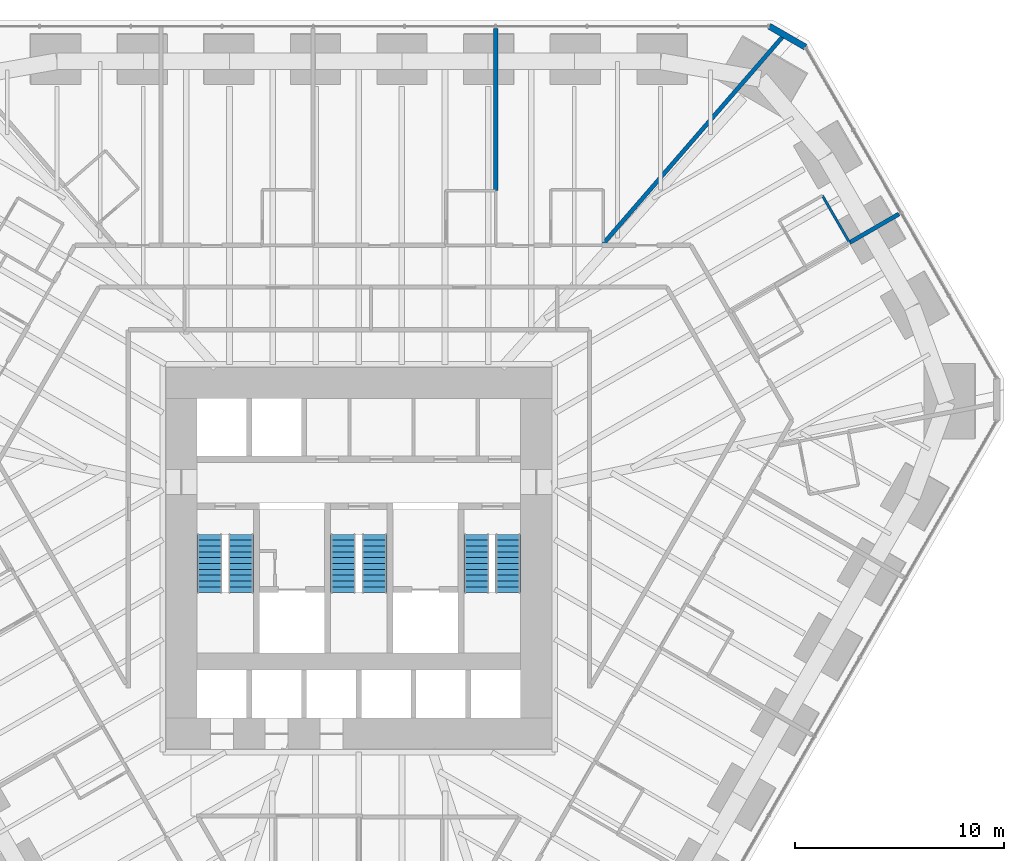
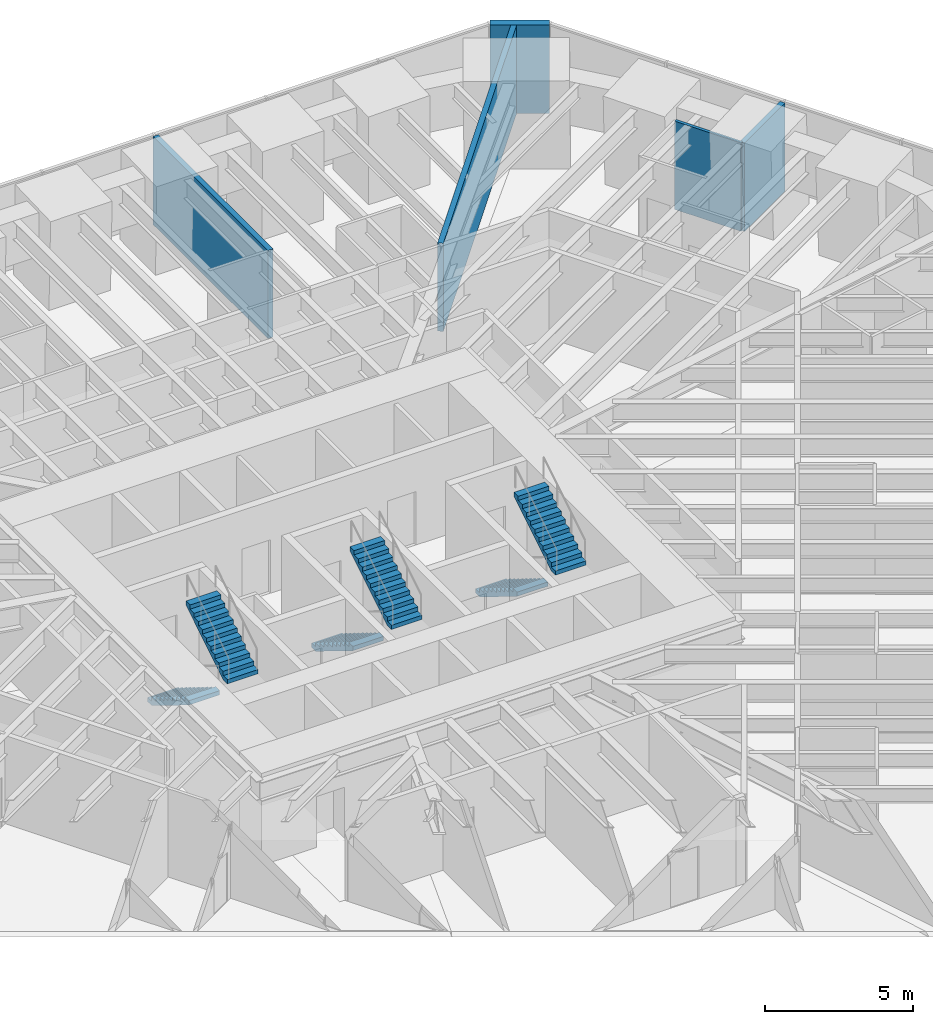
# One storey, part 16 of 17: 6 stair flights, 5 walls, 3 elements without a shape of their own.
"""IFC4 building model written with IfcOpenShell, lengths in metres."""

from ifc_helpers import new_model, si_unit, direction, frame, frame_2d, origin, place, context, subcontext, project, spatial, polyline, rectangle, outline, extrude, material, layer, layer_set, type_object, element, aggregate, save


model = new_model("IFC4")

# Units and contexts
model_context = context("Model", 3, precision=1e-05, world=origin(), true_north=direction((0.0, 1.0)))
body_context = subcontext(model_context, "Body", "Model", "MODEL_VIEW")
ifc_project = project(units=[si_unit("LENGTHUNIT", "METRE"), si_unit("AREAUNIT", "SQUARE_METRE"), si_unit("VOLUMEUNIT", "CUBIC_METRE"), si_unit("PLANEANGLEUNIT", "RADIAN"), si_unit("MASSUNIT", "GRAM", prefix="KILO")], contexts=[model_context])

# Site, building, storey
site_placement = place(None, origin())
site = spatial("IfcSite", under=ifc_project, at=site_placement, CompositionType="ELEMENT")
building_placement = place(site_placement, origin())
building = spatial("IfcBuilding", under=site, at=building_placement, Name="Sandreach Pilgrim Tower", CompositionType="ELEMENT")
storey_placement = place(building_placement, frame((0.0, 0.0, 64.800048828125)))
storey = spatial("IfcBuildingStorey", under=building, at=storey_placement, Name="L15", CompositionType="ELEMENT", Elevation=64.800048828125)

# Walls
ifc_material_1 = material(Name="Moisture-resistant gypsum board on steel studs", Category="steel")
ifc_layer_1 = layer(ifc_material_1, 0.1201171875)
ifc_layer_set_1 = layer_set([ifc_layer_1], Name="Bathroom partition 120")
wall_type_1 = type_object("IfcWallType", Name="Bathroom partition 120", PredefinedType="PARTITIONING", material=ifc_layer_set_1)
wall_1_placement = place(storey_placement, frame((23.52001953125, 13.580078125, 0.0), z_axis=(0.0, 0.0, 1.0), x_axis=(-0.500291685314, 0.865856933682, 0.0)))
element("IfcWall", 1, at=wall_1_placement, inside=storey, type_object=wall_type_1, Name="Bathroom partition L15-162", PredefinedType="PARTITIONING", context=body_context, shape_type="SweptSolid", body=[
    extrude(rectangle(XDim=2.5986328125, YDim=0.1201171875, at=frame_2d((1.29931640625, 0.0))), origin(), (0.0, 0.0, 1.0), 3.639892578125),
])
ifc_material_2 = material(Name="Double steel stud acoustic wall, gypsum board", Category="steel")
ifc_layer_2 = layer(ifc_material_2, 0.199951171875)
ifc_layer_set_2 = layer_set([ifc_layer_2], Name="Party wall 200")
wall_type_2 = type_object("IfcWallType", Name="Party wall 200", PredefinedType="PARTITIONING", material=ifc_layer_set_2)
wall_2_placement = place(storey_placement, frame((6.56005859375, 23.830078125, 0.0), z_axis=(0.0, 0.0, 1.0), x_axis=(0.0, -1.0, 0.0)))
element("IfcWall", 2, at=wall_2_placement, inside=storey, type_object=wall_type_2, Name="Party wall L15-107", PredefinedType="PARTITIONING", context=body_context, shape_type="SweptSolid", body=[
    extrude(rectangle(XDim=7.760009765625, YDim=0.199951171875, at=frame_2d((3.8798828125, 0.0))), origin(), (0.0, 0.0, 1.0), 3.639892578125),
])
wall_3_placement = place(storey_placement, frame((11.72509765625, 13.536865234375, 0.0), z_axis=(0.0, 0.0, 1.0), x_axis=(0.654910189761, 0.755706717813, 0.0)))
element("IfcWall", 3, at=wall_3_placement, inside=storey, type_object=wall_type_2, Name="Party wall L15-131", PredefinedType="PARTITIONING", context=body_context, shape_type="SweptSolid", body=[
    extrude(rectangle(XDim=13.24658203125, YDim=0.199951171875, at=frame_2d((6.623291015625, 0.0))), origin(), (0.0, 0.0, 1.0), 3.639892578125),
])
wall_4_placement = place(storey_placement, frame((23.52001953125, 13.580078125, 0.0), z_axis=(0.0, 0.0, 1.0), x_axis=(0.865432398871, 0.501025710902, 0.0)))
element("IfcWall", 4, at=wall_4_placement, inside=storey, type_object=wall_type_2, Name="Party wall L15-163", PredefinedType="PARTITIONING", context=body_context, shape_type="SweptSolid", body=[
    extrude(rectangle(XDim=2.734130859375, YDim=0.199951171875, at=frame_2d((1.3671875, 0.0))), origin(), (0.0, 0.0, 1.0), 3.639892578125),
])
ifc_material_3 = material(Name="Terracotta rainscreen on concrete", Category="masonry")
ifc_layer_3 = layer(ifc_material_3, 0.300048828125)
ifc_layer_set_3 = layer_set([ifc_layer_3], Name="Terracotta chamfer pier")
wall_type_3 = type_object("IfcWallType", Name="Terracotta chamfer pier", PredefinedType="SOLIDWALL", material=ifc_layer_set_3)
wall_5_placement = place(storey_placement, frame((19.672119140625, 23.94873046875, 0.0), z_axis=(0.0, 0.0, 1.0), x_axis=(0.866010750942, -0.50002537861, 0.0)))
element("IfcWall", 5, at=wall_5_placement, inside=storey, type_object=wall_type_3, Name="Chamfer pier L15 N", PredefinedType="SOLIDWALL", context=body_context, shape_type="SweptSolid", body=[
    extrude(rectangle(XDim=2.0, YDim=0.300048828125, at=frame_2d((1.0, 0.0))), origin(), (0.0, 0.0, 1.0), 3.639892578125),
])

# Stair, stair flights
ifc_material_4 = material(Name="Concrete 8000 psi", Category="concrete")
stair_type = type_object("IfcStairType", Name="Core exit stair", PredefinedType="HALF_TURN_STAIR", material=ifc_material_4)
stair_1_placement = place(storey_placement, origin())
stair_1 = element("IfcStair", 6, at=stair_1_placement, inside=storey, type_object=stair_type, Name="Exit stair ST1 L15", PredefinedType="HALF_TURN_STAIR")
ifc_material_5 = material(Name="Concrete 8000 psi", Category="concrete")
stair_flight_type = type_object("IfcStairFlightType", Name="Core stair flight 1200", PredefinedType="STRAIGHT", material=ifc_material_5)
stair_flight_1_placement = place(storey_placement, frame((-7.14990234375, -0.39990234375, 0.0), z_axis=(0.0, 0.0, 1.0), x_axis=(0.0, -1.0, 0.0)))
stair_flight_1 = element("IfcStairFlight", 7, at=stair_flight_1_placement, type_object=stair_flight_type, Name="ST1 flight 1", NumberOfRisers=11, NumberOfTreads=10, PredefinedType="STRAIGHT", RiserHeight=0.172727273, TreadLength=0.28, context=body_context, shape_type="SweptSolid", body=[
    extrude(outline(polyline([(0.0, 0.0), (0.0, 0.172607421875), (0.280029296875, 0.172607421875), (0.280029296875, 0.345458984375), (0.56005859375, 0.345458984375), (0.56005859375, 0.51806640625), (0.840087890625, 0.51806640625), (0.840087890625, 0.69091796875), (1.1201171875, 0.69091796875), (1.1201171875, 0.863525390625), (1.39990234375, 0.863525390625), (1.39990234375, 1.036376953125), (1.679931640625, 1.036376953125), (1.679931640625, 1.208984375), (1.9599609375, 1.208984375), (1.9599609375, 1.3818359375), (2.239990234375, 1.3818359375), (2.239990234375, 1.554443359375), (2.52001953125, 1.554443359375), (2.52001953125, 1.727294921875), (2.800048828125, 1.727294921875), (2.800048828125, 1.89990234375), (2.800048828125, 1.551025390625), (0.285400390625, 0.0), (0.0, 0.0)])), frame((0.0, 0.60009765625, 0.0), z_axis=(0.0, -1.0, 0.0), x_axis=(1.0, 0.0, 0.0)), (0.0, 0.0, 1.0), 1.199951171875),
])
stair_flight_2_placement = place(storey_placement, frame((-5.64990234375, -3.199951171875, 1.89990234375), z_axis=(0.0, 0.0, 1.0), x_axis=(0.0, 1.0, 0.0)))
stair_flight_2 = element("IfcStairFlight", 8, at=stair_flight_2_placement, type_object=stair_flight_type, Name="ST1 flight 2", NumberOfRisers=11, NumberOfTreads=10, PredefinedType="STRAIGHT", RiserHeight=0.172727273, TreadLength=0.28, context=body_context, shape_type="SweptSolid", body=[
    extrude(outline(polyline([(0.0, 0.0), (0.0, 0.172607421875), (0.280029296875, 0.172607421875), (0.280029296875, 0.345458984375), (0.56005859375, 0.345458984375), (0.56005859375, 0.51806640625), (0.840087890625, 0.51806640625), (0.840087890625, 0.69091796875), (1.1201171875, 0.69091796875), (1.1201171875, 0.863525390625), (1.39990234375, 0.863525390625), (1.39990234375, 1.036376953125), (1.679931640625, 1.036376953125), (1.679931640625, 1.208984375), (1.9599609375, 1.208984375), (1.9599609375, 1.3818359375), (2.239990234375, 1.3818359375), (2.239990234375, 1.554443359375), (2.52001953125, 1.554443359375), (2.52001953125, 1.727294921875), (2.800048828125, 1.727294921875), (2.800048828125, 1.89990234375), (2.800048828125, 1.551025390625), (0.285400390625, 0.0), (0.0, 0.0)])), frame((0.0, 0.60009765625, 0.0), z_axis=(0.0, -1.0, 0.0), x_axis=(1.0, 0.0, 0.0)), (0.0, 0.0, 1.0), 1.199951171875),
])
aggregate(stair_1, [stair_flight_1, stair_flight_2])

stair_2_placement = place(storey_placement, origin())
stair_2 = element("IfcStair", 9, at=stair_2_placement, inside=storey, type_object=stair_type, Name="Exit stair ST3 L15", PredefinedType="HALF_TURN_STAIR")
stair_flight_3_placement = place(storey_placement, frame((-0.75, -0.39990234375, 0.0), z_axis=(0.0, 0.0, 1.0), x_axis=(0.0, -1.0, 0.0)))
stair_flight_3 = element("IfcStairFlight", 10, at=stair_flight_3_placement, type_object=stair_flight_type, Name="ST3 flight 1", NumberOfRisers=11, NumberOfTreads=10, PredefinedType="STRAIGHT", RiserHeight=0.172727273, TreadLength=0.28, context=body_context, shape_type="SweptSolid", body=[
    extrude(outline(polyline([(0.0, 0.0), (0.0, 0.172607421875), (0.280029296875, 0.172607421875), (0.280029296875, 0.345458984375), (0.56005859375, 0.345458984375), (0.56005859375, 0.51806640625), (0.840087890625, 0.51806640625), (0.840087890625, 0.69091796875), (1.1201171875, 0.69091796875), (1.1201171875, 0.863525390625), (1.39990234375, 0.863525390625), (1.39990234375, 1.036376953125), (1.679931640625, 1.036376953125), (1.679931640625, 1.208984375), (1.9599609375, 1.208984375), (1.9599609375, 1.3818359375), (2.239990234375, 1.3818359375), (2.239990234375, 1.554443359375), (2.52001953125, 1.554443359375), (2.52001953125, 1.727294921875), (2.800048828125, 1.727294921875), (2.800048828125, 1.89990234375), (2.800048828125, 1.551025390625), (0.285400390625, 0.0), (0.0, 0.0)])), frame((0.0, 0.60009765625, 0.0), z_axis=(0.0, -1.0, 0.0), x_axis=(1.0, 0.0, 0.0)), (0.0, 0.0, 1.0), 1.199951171875),
])
stair_flight_4_placement = place(storey_placement, frame((0.75, -3.199951171875, 1.89990234375), z_axis=(0.0, 0.0, 1.0), x_axis=(0.0, 1.0, 0.0)))
stair_flight_4 = element("IfcStairFlight", 11, at=stair_flight_4_placement, type_object=stair_flight_type, Name="ST3 flight 2", NumberOfRisers=11, NumberOfTreads=10, PredefinedType="STRAIGHT", RiserHeight=0.172727273, TreadLength=0.28, context=body_context, shape_type="SweptSolid", body=[
    extrude(outline(polyline([(0.0, 0.0), (0.0, 0.172607421875), (0.280029296875, 0.172607421875), (0.280029296875, 0.345458984375), (0.56005859375, 0.345458984375), (0.56005859375, 0.51806640625), (0.840087890625, 0.51806640625), (0.840087890625, 0.69091796875), (1.1201171875, 0.69091796875), (1.1201171875, 0.863525390625), (1.39990234375, 0.863525390625), (1.39990234375, 1.036376953125), (1.679931640625, 1.036376953125), (1.679931640625, 1.208984375), (1.9599609375, 1.208984375), (1.9599609375, 1.3818359375), (2.239990234375, 1.3818359375), (2.239990234375, 1.554443359375), (2.52001953125, 1.554443359375), (2.52001953125, 1.727294921875), (2.800048828125, 1.727294921875), (2.800048828125, 1.89990234375), (2.800048828125, 1.551025390625), (0.285400390625, 0.0), (0.0, 0.0)])), frame((0.0, 0.60009765625, 0.0), z_axis=(0.0, -1.0, 0.0), x_axis=(1.0, 0.0, 0.0)), (0.0, 0.0, 1.0), 1.199951171875),
])
aggregate(stair_2, [stair_flight_3, stair_flight_4])

stair_3_placement = place(storey_placement, origin())
stair_3 = element("IfcStair", 12, at=stair_3_placement, inside=storey, type_object=stair_type, Name="Exit stair ST2 L15", PredefinedType="HALF_TURN_STAIR")
stair_flight_5_placement = place(storey_placement, frame((5.64990234375, -0.39990234375, 0.0), z_axis=(0.0, 0.0, 1.0), x_axis=(0.0, -1.0, 0.0)))
stair_flight_5 = element("IfcStairFlight", 13, at=stair_flight_5_placement, type_object=stair_flight_type, Name="ST2 flight 1", NumberOfRisers=11, NumberOfTreads=10, PredefinedType="STRAIGHT", RiserHeight=0.172727273, TreadLength=0.28, context=body_context, shape_type="SweptSolid", body=[
    extrude(outline(polyline([(0.0, 0.0), (0.0, 0.172607421875), (0.280029296875, 0.172607421875), (0.280029296875, 0.345458984375), (0.56005859375, 0.345458984375), (0.56005859375, 0.51806640625), (0.840087890625, 0.51806640625), (0.840087890625, 0.69091796875), (1.1201171875, 0.69091796875), (1.1201171875, 0.863525390625), (1.39990234375, 0.863525390625), (1.39990234375, 1.036376953125), (1.679931640625, 1.036376953125), (1.679931640625, 1.208984375), (1.9599609375, 1.208984375), (1.9599609375, 1.3818359375), (2.239990234375, 1.3818359375), (2.239990234375, 1.554443359375), (2.52001953125, 1.554443359375), (2.52001953125, 1.727294921875), (2.800048828125, 1.727294921875), (2.800048828125, 1.89990234375), (2.800048828125, 1.551025390625), (0.285400390625, 0.0), (0.0, 0.0)])), frame((0.0, 0.60009765625, 0.0), z_axis=(0.0, -1.0, 0.0), x_axis=(1.0, 0.0, 0.0)), (0.0, 0.0, 1.0), 1.199951171875),
])
stair_flight_6_placement = place(storey_placement, frame((7.14990234375, -3.199951171875, 1.89990234375), z_axis=(0.0, 0.0, 1.0), x_axis=(0.0, 1.0, 0.0)))
stair_flight_6 = element("IfcStairFlight", 14, at=stair_flight_6_placement, type_object=stair_flight_type, Name="ST2 flight 2", NumberOfRisers=11, NumberOfTreads=10, PredefinedType="STRAIGHT", RiserHeight=0.172727273, TreadLength=0.28, context=body_context, shape_type="SweptSolid", body=[
    extrude(outline(polyline([(0.0, 0.0), (0.0, 0.172607421875), (0.280029296875, 0.172607421875), (0.280029296875, 0.345458984375), (0.56005859375, 0.345458984375), (0.56005859375, 0.51806640625), (0.840087890625, 0.51806640625), (0.840087890625, 0.69091796875), (1.1201171875, 0.69091796875), (1.1201171875, 0.863525390625), (1.39990234375, 0.863525390625), (1.39990234375, 1.036376953125), (1.679931640625, 1.036376953125), (1.679931640625, 1.208984375), (1.9599609375, 1.208984375), (1.9599609375, 1.3818359375), (2.239990234375, 1.3818359375), (2.239990234375, 1.554443359375), (2.52001953125, 1.554443359375), (2.52001953125, 1.727294921875), (2.800048828125, 1.727294921875), (2.800048828125, 1.89990234375), (2.800048828125, 1.551025390625), (0.285400390625, 0.0), (0.0, 0.0)])), frame((0.0, 0.60009765625, 0.0), z_axis=(0.0, -1.0, 0.0), x_axis=(1.0, 0.0, 0.0)), (0.0, 0.0, 1.0), 1.199951171875),
])
aggregate(stair_3, [stair_flight_5, stair_flight_6])

save(model, "model.ifc")
